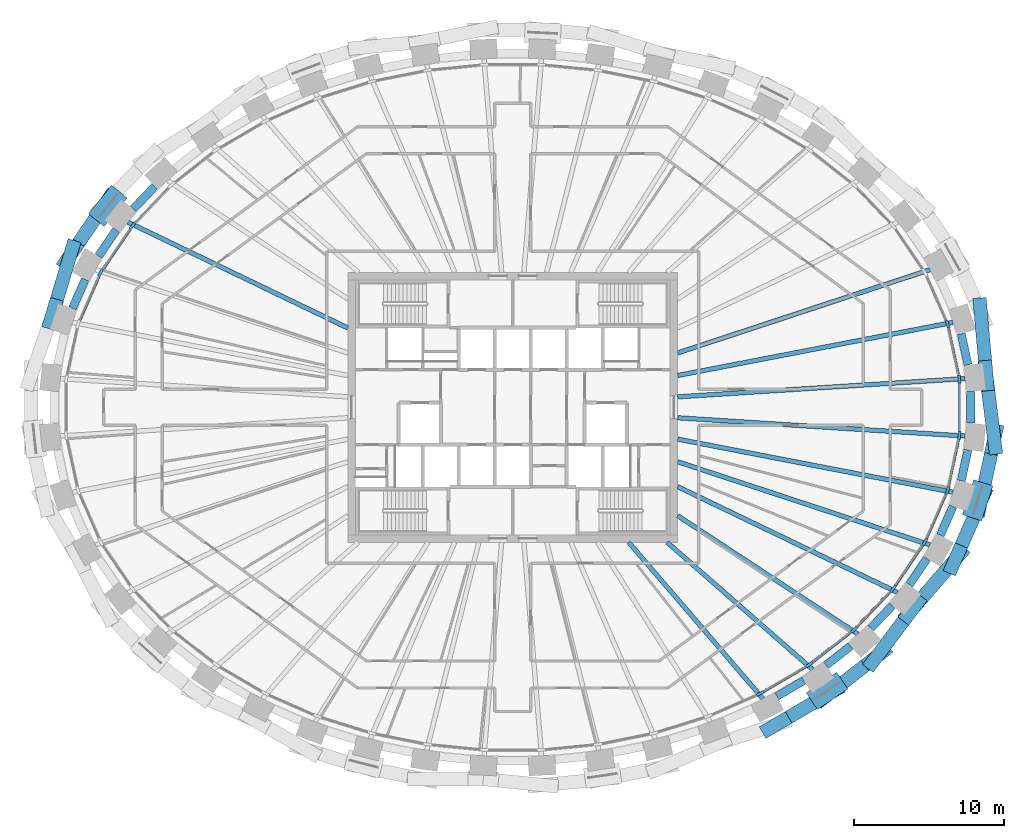
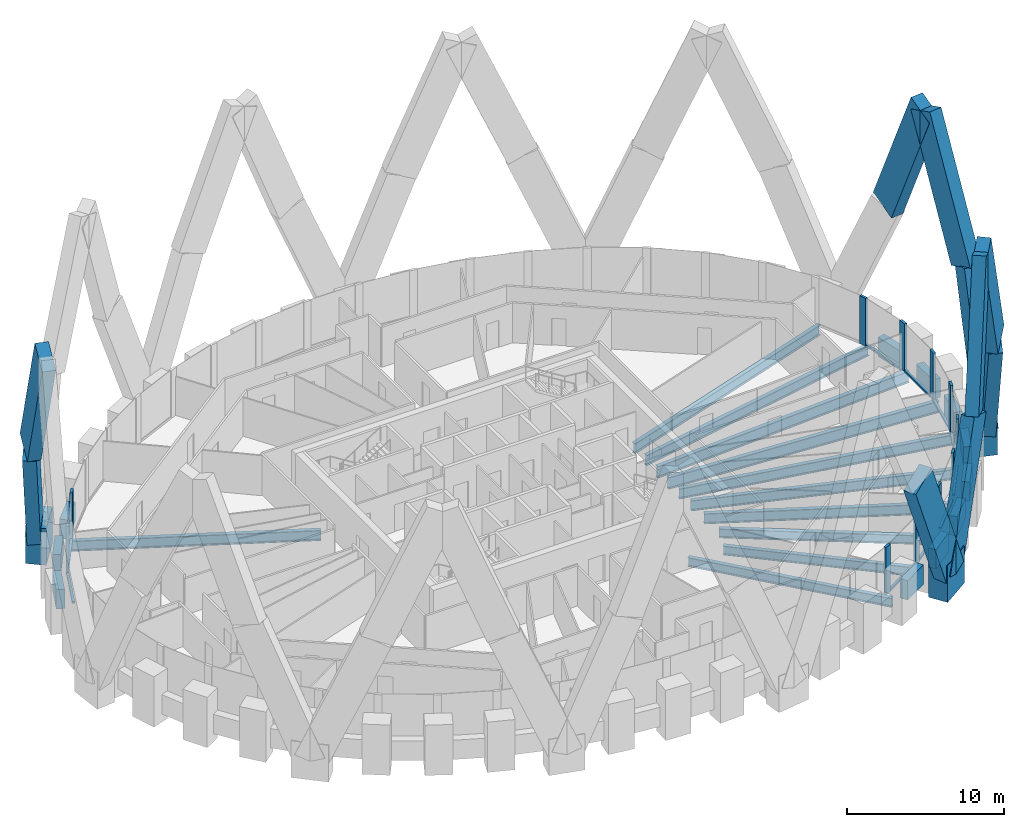
# One storey, part 3 of 14: 34 members, 22 beams, 1 element without a shape of its own.
"""IFC4 building model written with IfcOpenShell, lengths in metres."""

from ifc_helpers import new_model, si_unit, direction, frame, origin, origin_2d, place, context, subcontext, project, spatial, rectangle, i_section, extrude, source, transform, mapped, material, material_profile, profile_set, type_object, element, aggregate, save


model = new_model("IFC4")

# Units and contexts
model_context = context("Model", 3, precision=1e-05, world=origin(), true_north=direction((0.0, 1.0)))
body_context = subcontext(model_context, "Body", "Model", "MODEL_VIEW")
ifc_project = project(units=[si_unit("LENGTHUNIT", "METRE"), si_unit("AREAUNIT", "SQUARE_METRE"), si_unit("VOLUMEUNIT", "CUBIC_METRE"), si_unit("PLANEANGLEUNIT", "RADIAN"), si_unit("MASSUNIT", "GRAM", prefix="KILO")], contexts=[model_context])

# Site, building, storey
site_placement = place(None, origin())
site = spatial("IfcSite", under=ifc_project, at=site_placement, CompositionType="ELEMENT")
building_placement = place(site_placement, origin())
building = spatial("IfcBuilding", under=site, at=building_placement, Name="Embergate Tower", CompositionType="ELEMENT")
storey_placement = place(building_placement, frame((0.0, 0.0, 297.39990234375)))
storey = spatial("IfcBuildingStorey", under=building, at=storey_placement, Name="L69", CompositionType="ELEMENT", Elevation=297.39990234375)

# Beams
ifc_material_1 = material(Name="Steel Q355B", Category="steel")
ifc_material_profile_1 = material_profile(ifc_material_1, i_section(OverallWidth=0.300048828125, OverallDepth=0.699951171875, WebThickness=0.012939453125, FlangeThickness=0.02392578125, FilletRadius=0.01806640625, at=origin_2d()), Name="HN 700x300x13x24")
ifc_profile_set_1 = profile_set([ifc_material_profile_1], Name="Steel Q355 grade B")
beam_type_1 = type_object("IfcBeamType", Name="Radial girder HN 700x300x13x24", PredefinedType="BEAM", material=ifc_profile_set_1)
shared_shape_1 = source(origin(), body_context, "Body", "SweptSolid", [
    extrude(i_section(OverallWidth=0.300048828125, OverallDepth=0.699951171875, WebThickness=0.012939453125, FlangeThickness=0.02392578125, FilletRadius=0.01806640625, at=origin_2d()), origin(), (0.0, 0.0, 1.0), 13.742431640625),
])
beam_1_placement = place(storey_placement, frame((16.681884765625, -19.426025390625, -0.5498046875), z_axis=(-0.651474345674, 0.758670664339, 0.0), x_axis=(-0.758670664339, -0.651474345674, 0.0)))
element("IfcBeam", 1, at=beam_1_placement, inside=storey, type_object=beam_type_1, Name="GIR-L69-37", PredefinedType="BEAM", context=body_context, shape_type="MappedRepresentation", body=[
    mapped(shared_shape_1, transform((0.0, 0.0, 0.0))),
])
ifc_material_2 = material(Name="Concrete C50", Category="concrete")
ifc_material_profile_2 = material_profile(ifc_material_2, rectangle(XDim=0.550048828125, YDim=1.5, at=origin_2d()), Name="RC 550x1500")
ifc_profile_set_2 = profile_set([ifc_material_profile_2], Name="Concrete C50")
beam_type_2 = type_object("IfcBeamType", Name="Spandrel beam RC 550x1500 C50", PredefinedType="BEAM", material=ifc_profile_set_2)
shared_shape_2 = source(origin(), body_context, "Body", "SweptSolid", [
    extrude(rectangle(XDim=0.550048828125, YDim=1.5, at=origin_2d()), origin(), (0.0, 0.0, 1.0), 2.10107421875),
])
for number, where, z_axis, x_axis, name in (
    (2, (30.346923828125, 2.841064453125, 0.0), (-0.210330547493, 0.977630329312, 0.0), (-0.977630329312, -0.210330547493, 0.0), "SPN-L69-00"),
    (3, (29.905029296875, -4.89501953125, 0.0), (0.210330547493, 0.977630329312, 0.0), (-0.977630329312, 0.210330547493, 0.0), "SPN-L69-42"),
):
    element("IfcBeam", number, at=place(storey_placement, frame(where, z_axis=z_axis, x_axis=x_axis)), inside=storey, type_object=beam_type_2, Name=name, PredefinedType="BEAM", context=body_context, shape_type="MappedRepresentation", body=[
        mapped(shared_shape_2, transform((0.0, 0.0, 0.0))),
    ])
shared_shape_3 = source(origin(), body_context, "Body", "SweptSolid", [
    extrude(rectangle(XDim=0.550048828125, YDim=1.5, at=origin_2d()), origin(), (0.0, 0.0, 1.0), 2.097900390625),
])
for number, where, z_axis, x_axis, name in (
    (4, (-28.508056640625, 8.529052734375, 0.0), (-0.401825860592, -0.91571610107, 0.0), (0.91571610107, -0.401825860592, 0.0), "SPN-L69-19"),
    (5, (28.508056640625, -8.529052734375, 0.0), (0.401825860592, 0.91571610107, 0.0), (-0.91571610107, 0.401825860592, 0.0), "SPN-L69-41"),
):
    element("IfcBeam", number, at=place(storey_placement, frame(where, z_axis=z_axis, x_axis=x_axis)), inside=storey, type_object=beam_type_2, Name=name, PredefinedType="BEAM", context=body_context, shape_type="MappedRepresentation", body=[
        mapped(shared_shape_3, transform((0.0, 0.0, 0.0))),
    ])
shared_shape_4 = source(origin(), body_context, "Body", "SweptSolid", [
    extrude(rectangle(XDim=0.550048828125, YDim=1.5, at=origin_2d()), origin(), (0.0, 0.0, 1.0), 2.09033203125),
])
for number, where, z_axis, x_axis, name in (
    (6, (-26.444091796875, 11.822998046875, 0.0), (-0.562009695033, -0.827130644269, 0.0), (0.827130644269, -0.562009695033, 0.0), "SPN-L69-18"),
    (7, (26.444091796875, -11.822998046875, 0.0), (0.562009695033, 0.827130644269, 0.0), (-0.827130644269, 0.562009695033, 0.0), "SPN-L69-40"),
):
    element("IfcBeam", number, at=place(storey_placement, frame(where, z_axis=z_axis, x_axis=x_axis)), inside=storey, type_object=beam_type_2, Name=name, PredefinedType="BEAM", context=body_context, shape_type="MappedRepresentation", body=[
        mapped(shared_shape_4, transform((0.0, 0.0, 0.0))),
    ])
shared_shape_5 = source(origin(), body_context, "Body", "SweptSolid", [
    extrude(rectangle(XDim=0.550048828125, YDim=1.5, at=origin_2d()), origin(), (0.0, 0.0, 1.0), 2.08447265625),
])
for number, where, z_axis, x_axis, name in (
    (8, (-23.8740234375, 14.73095703125, 0.0), (-0.690339235394, -0.72348582576, 0.0), (0.72348582576, -0.690339235394, 0.0), "SPN-L69-17"),
    (9, (23.8740234375, -14.73095703125, 0.0), (0.690339235394, 0.72348582576, 0.0), (-0.72348582576, 0.690339235394, 0.0), "SPN-L69-39"),
):
    element("IfcBeam", number, at=place(storey_placement, frame(where, z_axis=z_axis, x_axis=x_axis)), inside=storey, type_object=beam_type_2, Name=name, PredefinedType="BEAM", context=body_context, shape_type="MappedRepresentation", body=[
        mapped(shared_shape_5, transform((0.0, 0.0, 0.0))),
    ])
shared_shape_6 = source(origin(), body_context, "Body", "SweptSolid", [
    extrude(rectangle(XDim=0.550048828125, YDim=1.5, at=origin_2d()), origin(), (0.0, 0.0, 1.0), 2.0791015625),
])
beam_2_placement = place(storey_placement, frame((20.887939453125, -17.2041015625, 0.0), z_axis=(0.788383845435, 0.615183641084, 0.0), x_axis=(-0.615183641084, 0.788383845435, 0.0)))
element("IfcBeam", 10, at=beam_2_placement, inside=storey, type_object=beam_type_2, Name="SPN-L69-38", PredefinedType="BEAM", context=body_context, shape_type="MappedRepresentation", body=[
    mapped(shared_shape_6, transform((0.0, 0.0, 0.0))),
])
shared_shape_7 = source(origin(), body_context, "Body", "SweptSolid", [
    extrude(rectangle(XDim=0.550048828125, YDim=1.5, at=origin_2d()), origin(), (0.0, 0.0, 1.0), 2.074462890625),
])
beam_3_placement = place(storey_placement, frame((17.611083984375, -19.26806640625, 0.0), z_axis=(0.861864620017, 0.507138419726, 0.0), x_axis=(-0.507138419726, 0.861864620017, 0.0)))
element("IfcBeam", 11, at=beam_3_placement, inside=storey, type_object=beam_type_2, Name="SPN-L69-37", PredefinedType="BEAM", context=body_context, shape_type="MappedRepresentation", body=[
    mapped(shared_shape_7, transform((0.0, 0.0, 0.0))),
])
shared_shape_8 = source(origin(), body_context, "Body", "SweptSolid", [
    extrude(rectangle(XDim=0.550048828125, YDim=1.5, at=origin_2d()), origin(), (0.0, 0.0, 1.0), 2.10205078125),
])
beam_4_placement = place(storey_placement, frame((30.5380859375, -1.051025390625, 0.0), z_axis=(0.0, 1.0, 0.0), x_axis=(-1.0, 0.0, 0.0)))
element("IfcBeam", 12, at=beam_4_placement, inside=storey, type_object=beam_type_2, Name="SPN-L69-43", PredefinedType="BEAM", context=body_context, shape_type="MappedRepresentation", body=[
    mapped(shared_shape_8, transform((0.0, 0.0, 0.0))),
])
ifc_material_profile_3 = material_profile(ifc_material_1, i_section(OverallWidth=0.300048828125, OverallDepth=0.89990234375, WebThickness=0.01611328125, FlangeThickness=0.028076171875, FilletRadius=0.028076171875, at=origin_2d()), Name="HN 900x300x16x28")
ifc_profile_set_3 = profile_set([ifc_material_profile_3], Name="Steel Q355 grade B")
beam_type_3 = type_object("IfcBeamType", Name="Radial girder HN 900x300x16x28", PredefinedType="BEAM", material=ifc_profile_set_3)
shared_shape_9 = source(origin(), body_context, "Body", "SweptSolid", [
    extrude(i_section(OverallWidth=0.300048828125, OverallDepth=0.89990234375, WebThickness=0.01611328125, FlangeThickness=0.028076171875, FilletRadius=0.028076171875, at=origin_2d()), origin(), (0.0, 0.0, 1.0), 19.20166015625),
])
for number, where, z_axis, x_axis, name in (
    (13, (30.1630859375, 1.916015625, -0.64990234375), (-0.997989342147, -0.063381960844, 0.0), (0.063381960844, -0.997989342147, 0.0), "GIR-L69-00"),
    (14, (30.1630859375, -1.916015625, -0.64990234375), (-0.997989342147, 0.063381960844, 0.0), (-0.063381960844, -0.997989342147, 0.0), "GIR-L69-43"),
):
    element("IfcBeam", number, at=place(storey_placement, frame(where, z_axis=z_axis, x_axis=x_axis)), inside=storey, type_object=beam_type_3, Name=name, PredefinedType="BEAM", context=body_context, shape_type="MappedRepresentation", body=[
        mapped(shared_shape_9, transform((0.0, 0.0, 0.0))),
    ])
ifc_material_profile_4 = material_profile(ifc_material_1, i_section(OverallWidth=0.300048828125, OverallDepth=0.800048828125, WebThickness=0.013916015625, FlangeThickness=0.02587890625, FilletRadius=0.028076171875, at=origin_2d()), Name="HN 800x300x14x26")
ifc_profile_set_4 = profile_set([ifc_material_profile_4], Name="Steel Q355 grade B")
beam_type_4 = type_object("IfcBeamType", Name="Radial girder HN 800x300x14x26", PredefinedType="BEAM", material=ifc_profile_set_4)
shared_shape_10 = source(origin(), body_context, "Body", "SweptSolid", [
    extrude(i_section(OverallWidth=0.300048828125, OverallDepth=0.800048828125, WebThickness=0.013916015625, FlangeThickness=0.02587890625, FilletRadius=0.028076171875, at=origin_2d()), origin(), (0.0, 0.0, 1.0), 18.6943359375),
])
for number, where, z_axis, x_axis, name in (
    (15, (29.35595703125, 5.6630859375, -0.599853515625), (-0.981896924723, -0.189416021549, 0.0), (0.189416021549, -0.981896924723, 0.0), "GIR-L69-01"),
    (16, (29.35595703125, -5.6630859375, -0.599853515625), (-0.981896924723, 0.189416021549, 0.0), (-0.189416021549, -0.981896924723, 0.0), "GIR-L69-42"),
):
    element("IfcBeam", number, at=place(storey_placement, frame(where, z_axis=z_axis, x_axis=x_axis)), inside=storey, type_object=beam_type_4, Name=name, PredefinedType="BEAM", context=body_context, shape_type="MappedRepresentation", body=[
        mapped(shared_shape_10, transform((0.0, 0.0, 0.0))),
    ])
shared_shape_11 = source(origin(), body_context, "Body", "SweptSolid", [
    extrude(i_section(OverallWidth=0.300048828125, OverallDepth=0.800048828125, WebThickness=0.013916015625, FlangeThickness=0.02587890625, FilletRadius=0.028076171875, at=origin_2d()), origin(), (0.0, 0.0, 1.0), 17.70703125),
])
for number, where, z_axis, x_axis, name in (
    (17, (27.81591796875, 9.174072265625, -0.599853515625), (-0.949680910183, -0.313219042897, 0.0), (0.313219042897, -0.949680910183, 0.0), "GIR-L69-02"),
    (18, (27.81591796875, -9.174072265625, -0.599853515625), (-0.949680910183, 0.313219042897, 0.0), (-0.313219042897, -0.949680910183, 0.0), "GIR-L69-41"),
):
    element("IfcBeam", number, at=place(storey_placement, frame(where, z_axis=z_axis, x_axis=x_axis)), inside=storey, type_object=beam_type_4, Name=name, PredefinedType="BEAM", context=body_context, shape_type="MappedRepresentation", body=[
        mapped(shared_shape_11, transform((0.0, 0.0, 0.0))),
    ])
shared_shape_12 = source(origin(), body_context, "Body", "SweptSolid", [
    extrude(i_section(OverallWidth=0.300048828125, OverallDepth=0.800048828125, WebThickness=0.013916015625, FlangeThickness=0.02587890625, FilletRadius=0.028076171875, at=origin_2d()), origin(), (0.0, 0.0, 1.0), 16.268310546875),
])
for number, where, z_axis, x_axis, name in (
    (19, (-25.659912109375, 12.344970703125, -0.599853515625), (0.901133717561, -0.433541258791, 0.0), (0.433541258791, 0.901133717561, 0.0), "GIR-L69-18"),
    (20, (25.659912109375, -12.344970703125, -0.599853515625), (-0.901133717561, 0.433541258791, 0.0), (-0.433541258791, -0.901133717561, 0.0), "GIR-L69-40"),
):
    element("IfcBeam", number, at=place(storey_placement, frame(where, z_axis=z_axis, x_axis=x_axis)), inside=storey, type_object=beam_type_4, Name=name, PredefinedType="BEAM", context=body_context, shape_type="MappedRepresentation", body=[
        mapped(shared_shape_12, transform((0.0, 0.0, 0.0))),
    ])
shared_shape_13 = source(origin(), body_context, "Body", "SweptSolid", [
    extrude(i_section(OverallWidth=0.300048828125, OverallDepth=0.699951171875, WebThickness=0.012939453125, FlangeThickness=0.02392578125, FilletRadius=0.01806640625, at=origin_2d()), origin(), (0.0, 0.0, 1.0), 14.3740234375),
])
beam_5_placement = place(storey_placement, frame((23.012939453125, -15.1201171875, -0.5498046875), z_axis=(-0.835742226811, 0.549121963069, 0.0), x_axis=(-0.549121963069, -0.835742226811, 0.0)))
element("IfcBeam", 21, at=beam_5_placement, inside=storey, type_object=beam_type_1, Name="GIR-L69-39", PredefinedType="BEAM", context=body_context, shape_type="MappedRepresentation", body=[
    mapped(shared_shape_13, transform((0.0, 0.0, 0.0))),
])
shared_shape_14 = source(origin(), body_context, "Body", "SweptSolid", [
    extrude(i_section(OverallWidth=0.300048828125, OverallDepth=0.699951171875, WebThickness=0.012939453125, FlangeThickness=0.02392578125, FilletRadius=0.01806640625, at=origin_2d()), origin(), (0.0, 0.0, 1.0), 12.88330078125),
])
beam_6_placement = place(storey_placement, frame((19.989013671875, -17.48095703125, -0.5498046875), z_axis=(-0.752760969036, 0.658293949157, 0.0), x_axis=(-0.658293949157, -0.752760969036, 0.0)))
element("IfcBeam", 22, at=beam_6_placement, inside=storey, type_object=beam_type_1, Name="GIR-L69-38", PredefinedType="BEAM", context=body_context, shape_type="MappedRepresentation", body=[
    mapped(shared_shape_14, transform((0.0, 0.0, 0.0))),
])

# Members
ifc_material_3 = material(Name="Concrete C70", Category="concrete")
ifc_material_profile_5 = material_profile(ifc_material_3, rectangle(XDim=1.35009765625, YDim=2.449951171875, at=origin_2d()), Name="RC 1350x2450")
ifc_profile_set_5 = profile_set([ifc_material_profile_5], Name="Concrete C70")
member_type_1 = type_object("IfcMemberType", Name="Lattice node block RC 1350x2450", PredefinedType="POST", material=ifc_profile_set_5)
shared_shape_15 = source(origin(), body_context, "Body", "SweptSolid", [
    extrude(rectangle(XDim=1.35009765625, YDim=2.449951171875, at=origin_2d()), origin(), (0.0, 0.0, 1.0), 2.849853515625),
])
for number, where, z_axis, x_axis, name in (
    (23, (-26.9990234375, 13.43310546875, -1.4248046875), (0.0, 0.0, 1.0), (-0.775925311702, 0.630824786022, 0.0), "NOD-L69-18"),
    (24, (20.9560546875, -18.908935546875, -1.4248046875), (0.0, 0.0, 1.0), (0.560393279442, -0.828226643109, 0.0), "NOD-L69-38"),
    (25, (30.99609375, -6.197021484375, -1.4248046875), (0.0, 0.0, 1.0), (0.950754033697, -0.309946394413, 0.0), "NOD-L69-42"),
):
    element("IfcMember", number, at=place(storey_placement, frame(where, z_axis=z_axis, x_axis=x_axis)), inside=storey, type_object=member_type_1, Name=name, PredefinedType="POST", context=body_context, shape_type="MappedRepresentation", body=[
        mapped(shared_shape_15, transform((0.0, 0.0, 0.0))),
    ])
ifc_material_profile_6 = material_profile(ifc_material_3, rectangle(XDim=0.89990234375, YDim=2.199951171875, at=origin_2d()), Name="RC 900x2200")
ifc_profile_set_6 = profile_set([ifc_material_profile_6], Name="Concrete C70")
member_type_2 = type_object("IfcMemberType", Name="Lattice diagonal terracotta-faced RC 900x2200", PredefinedType="BRACE", material=ifc_profile_set_6)
shared_shape_16 = source(origin(), body_context, "Body", "SweptSolid", [
    extrude(rectangle(XDim=0.89990234375, YDim=2.199951171875, at=origin_2d()), origin(), (0.0, 0.0, 1.0), 10.60888671875),
])
member_1_placement = place(storey_placement, frame((31.2060546875, 6.278076171875, 9.75), z_axis=(0.034956645122, -0.392600635801, 0.919044489527), x_axis=(0.996059470747, 0.088687827436, 0.0)))
element("IfcMember", 26, at=member_1_placement, inside=storey, type_object=member_type_2, Name="BRC-L69-02-00-S01", PredefinedType="BRACE", context=body_context, shape_type="MappedRepresentation", body=[
    mapped(shared_shape_16, transform((0.0, 0.0, 0.0))),
])
shared_shape_17 = source(origin(), body_context, "Body", "SweptSolid", [
    extrude(rectangle(XDim=0.89990234375, YDim=2.199951171875, at=origin_2d()), origin(), (0.0, 0.0, 1.0), 10.59716796875),
])
member_2_placement = place(storey_placement, frame((-27.173095703125, 13.574951171875, 0.0), z_axis=(-0.220244816542, -0.324031730614, 0.92005198676), x_axis=(0.827041321206, -0.562141132651, 0.0)))
element("IfcMember", 27, at=member_2_placement, inside=storey, type_object=member_type_2, Name="BRC-L69-18-20-S00", PredefinedType="BRACE", context=body_context, shape_type="MappedRepresentation", body=[
    mapped(shared_shape_17, transform((0.0, 0.0, 0.0))),
])
shared_shape_18 = source(origin(), body_context, "Body", "SweptSolid", [
    extrude(rectangle(XDim=0.89990234375, YDim=2.199951171875, at=origin_2d()), origin(), (0.0, 0.0, 1.0), 10.571533203125),
])
member_3_placement = place(storey_placement, frame((-29.507080078125, 10.14111328125, 9.75), z_axis=(-0.111130269815, -0.370157099874, 0.92229809961), x_axis=(0.957767057239, -0.287545238298, 0.0)))
element("IfcMember", 28, at=member_3_placement, inside=storey, type_object=member_type_2, Name="BRC-L69-18-20-S01", PredefinedType="BRACE", context=body_context, shape_type="MappedRepresentation", body=[
    mapped(shared_shape_18, transform((0.0, 0.0, 0.0))),
])
shared_shape_19 = source(origin(), body_context, "Body", "SweptSolid", [
    extrude(rectangle(XDim=0.89990234375, YDim=2.199951171875, at=origin_2d()), origin(), (0.0, 0.0, 1.0), 10.587158203125),
])
member_4_placement = place(storey_placement, frame((21.08203125, -19.095947265625, 0.0), z_axis=(-0.33626236197, -0.197025484891, 0.920928109152), x_axis=(0.505540306091, -0.862802989632, 0.0)))
element("IfcMember", 29, at=member_4_placement, inside=storey, type_object=member_type_2, Name="BRC-L69-38-36-S00", PredefinedType="BRACE", context=body_context, shape_type="MappedRepresentation", body=[
    mapped(shared_shape_19, transform((0.0, 0.0, 0.0))),
])
shared_shape_20 = source(origin(), body_context, "Body", "SweptSolid", [
    extrude(rectangle(XDim=0.89990234375, YDim=2.199951171875, at=origin_2d()), origin(), (0.0, 0.0, 1.0), 10.562744140625),
])
member_5_placement = place(storey_placement, frame((21.08203125, -19.095947265625, 0.0), z_axis=(0.30313456365, 0.2367754838, 0.923063815016), x_axis=(-0.615565910513, 0.78808540769, 0.0)))
element("IfcMember", 30, at=member_5_placement, inside=storey, type_object=member_type_2, Name="BRC-L69-38-40-S00", PredefinedType="BRACE", context=body_context, shape_type="MappedRepresentation", body=[
    mapped(shared_shape_20, transform((0.0, 0.0, 0.0))),
])
shared_shape_21 = source(origin(), body_context, "Body", "SweptSolid", [
    extrude(rectangle(XDim=0.89990234375, YDim=2.199951171875, at=origin_2d()), origin(), (0.0, 0.0, 1.0), 10.517578125),
])
member_6_placement = place(storey_placement, frame((24.283935546875, -16.594970703125, 9.75), z_axis=(0.225624252863, 0.29957886908, 0.927009275963), x_axis=(-0.7987951853, 0.601603068427, 0.0)))
element("IfcMember", 31, at=member_6_placement, inside=storey, type_object=member_type_2, Name="BRC-L69-38-40-S01", PredefinedType="BRACE", context=body_context, shape_type="MappedRepresentation", body=[
    mapped(shared_shape_21, transform((0.0, 0.0, 0.0))),
])
shared_shape_22 = source(origin(), body_context, "Body", "SweptSolid", [
    extrude(rectangle(XDim=0.89990234375, YDim=2.199951171875, at=origin_2d()), origin(), (0.0, 0.0, 1.0), 10.629638671875),
])
member_7_placement = place(storey_placement, frame((31.2099609375, -6.26708984375, 0.0), z_axis=(0.083832881236, 0.389397991361, 0.917246560281), x_axis=(-0.977601132477, 0.210466210543, 0.0)))
element("IfcMember", 32, at=member_7_placement, inside=storey, type_object=member_type_2, Name="BRC-L69-42-00-S00", PredefinedType="BRACE", context=body_context, shape_type="MappedRepresentation", body=[
    mapped(shared_shape_22, transform((0.0, 0.0, 0.0))),
])
shared_shape_23 = source(origin(), body_context, "Body", "SweptSolid", [
    extrude(rectangle(XDim=0.89990234375, YDim=2.199951171875, at=origin_2d()), origin(), (0.0, 0.0, 1.0), 10.645263671875),
])
member_8_placement = place(storey_placement, frame((32.10107421875, -2.1279296875, 9.75), z_axis=(-0.049239423832, 0.398387532083, 0.915894564577), x_axis=(-0.992448326774, -0.122663436623, 0.0)))
element("IfcMember", 33, at=member_8_placement, inside=storey, type_object=member_type_2, Name="BRC-L69-42-00-S01", PredefinedType="BRACE", context=body_context, shape_type="MappedRepresentation", body=[
    mapped(shared_shape_23, transform((0.0, 0.0, 0.0))),
])
shared_shape_24 = source(origin(), body_context, "Body", "SweptSolid", [
    extrude(rectangle(XDim=0.89990234375, YDim=2.199951171875, at=origin_2d()), origin(), (0.0, 0.0, 1.0), 10.628662109375),
])
member_9_placement = place(storey_placement, frame((31.2099609375, -6.26708984375, 0.0), z_axis=(-0.16021456909, -0.364485273451, 0.917323158592), x_axis=(0.915462140927, -0.402404110976, 0.0)))
element("IfcMember", 34, at=member_9_placement, inside=storey, type_object=member_type_2, Name="BRC-L69-42-40-S00", PredefinedType="BRACE", context=body_context, shape_type="MappedRepresentation", body=[
    mapped(shared_shape_24, transform((0.0, 0.0, 0.0))),
])
shared_shape_25 = source(origin(), body_context, "Body", "SweptSolid", [
    extrude(rectangle(XDim=0.89990234375, YDim=2.199951171875, at=origin_2d()), origin(), (0.0, 0.0, 1.0), 10.681640625),
])
member_10_placement = place(storey_placement, frame((29.507080078125, -10.14111328125, 9.75), z_axis=(-0.266824687133, -0.309223161918, 0.912790021018), x_axis=(0.757103540397, -0.653294902106, 0.0)))
element("IfcMember", 35, at=member_10_placement, inside=storey, type_object=member_type_2, Name="BRC-L69-42-40-S01", PredefinedType="BRACE", context=body_context, shape_type="MappedRepresentation", body=[
    mapped(shared_shape_25, transform((0.0, 0.0, 0.0))),
])

# Curtain wall, members
ifc_material_4 = material(Name="Aluminium and glass", Category="aluminium")
curtain_wall_type = type_object("IfcCurtainWallType", Name="Recessed office glazing", PredefinedType="NOTDEFINED", material=ifc_material_4)
curtain_wall_placement = place(storey_placement, origin())
curtain_wall = element("IfcCurtainWall", 36, at=curtain_wall_placement, inside=storey, type_object=curtain_wall_type, Name="Recessed office glazing ring", ObjectType="RECESSED OFFICE GLAZING", PredefinedType="USERDEFINED")
ifc_material_5 = material(Name="Aluminium, thermally broken", Category="aluminium")
ifc_material_profile_7 = material_profile(ifc_material_5, rectangle(XDim=0.179931640625, YDim=0.52001953125, at=origin_2d()), Name="AL 520x180")
ifc_profile_set_7 = profile_set([ifc_material_profile_7], Name="Aluminium, thermally broken")
member_type_3 = type_object("IfcMemberType", Name="Office mullion", PredefinedType="MULLION", material=ifc_profile_set_7)
shared_shape_26 = source(origin(), body_context, "Body", "SweptSolid", [
    extrude(rectangle(XDim=0.179931640625, YDim=0.52001953125, at=origin_2d()), origin(), (0.0, 0.0, 1.0), 3.7001953125),
])
member_11_placement = place(storey_placement, frame((29.774658203125, 1.87451171875, 0.0), z_axis=(0.0, 0.0, 1.0), x_axis=(-0.994384215926, -0.105830199459, 0.0)))
member_11 = element("IfcMember", 37, at=member_11_placement, type_object=member_type_3, Name="CW mullion 1", PredefinedType="MULLION", context=body_context, shape_type="MappedRepresentation", body=[
    mapped(shared_shape_26, transform((0.0, 0.0, 0.0))),
])
member_12_placement = place(storey_placement, frame((28.985107421875, 5.5419921875, 0.0), z_axis=(0.0, 0.0, 1.0), x_axis=(-0.951493502218, -0.307668840212, 0.0)))
member_12 = element("IfcMember", 38, at=member_12_placement, type_object=member_type_3, Name="CW mullion 2", PredefinedType="MULLION", context=body_context, shape_type="MappedRepresentation", body=[
    mapped(shared_shape_26, transform((0.0, 0.0, 0.0))),
])
member_13_placement = place(storey_placement, frame((-25.357421875, 12.098388671875, 0.0), z_axis=(0.0, 0.0, 1.0), x_axis=(0.777863789852, -0.628432911643, 0.0)))
member_13 = element("IfcMember", 39, at=member_13_placement, type_object=member_type_3, Name="CW mullion 19", PredefinedType="MULLION", context=body_context, shape_type="MappedRepresentation", body=[
    mapped(shared_shape_26, transform((0.0, 0.0, 0.0))),
])
member_14_placement = place(storey_placement, frame((-27.4755859375, 8.983642578125, 0.0), z_axis=(0.0, 0.0, 1.0), x_axis=(0.87499344622, -0.484134763338, 0.0)))
member_14 = element("IfcMember", 40, at=member_14_placement, type_object=member_type_3, Name="CW mullion 20", PredefinedType="MULLION", context=body_context, shape_type="MappedRepresentation", body=[
    mapped(shared_shape_26, transform((0.0, 0.0, 0.0))),
])
member_15_placement = place(storey_placement, frame((16.504638671875, -19.077880859375, 0.0), z_axis=(0.0, 0.0, 1.0), x_axis=(-0.454508271251, 0.890742516872, 0.0)))
member_15 = element("IfcMember", 41, at=member_15_placement, type_object=member_type_3, Name="CW mullion 38", PredefinedType="MULLION", context=body_context, shape_type="MappedRepresentation", body=[
    mapped(shared_shape_26, transform((0.0, 0.0, 0.0))),
])
member_16_placement = place(storey_placement, frame((19.770263671875, -17.15771484375, 0.0), z_axis=(0.0, 0.0, 1.0), x_axis=(-0.562211845055, 0.826993253467, 0.0)))
member_16 = element("IfcMember", 42, at=member_16_placement, type_object=member_type_3, Name="CW mullion 39", PredefinedType="MULLION", context=body_context, shape_type="MappedRepresentation", body=[
    mapped(shared_shape_26, transform((0.0, 0.0, 0.0))),
])
member_17_placement = place(storey_placement, frame((22.752197265625, -14.83056640625, 0.0), z_axis=(0.0, 0.0, 1.0), x_axis=(-0.671220065284, 0.741258135847, 0.0)))
member_17 = element("IfcMember", 43, at=member_17_placement, type_object=member_type_3, Name="CW mullion 40", PredefinedType="MULLION", context=body_context, shape_type="MappedRepresentation", body=[
    mapped(shared_shape_26, transform((0.0, 0.0, 0.0))),
])
member_18_placement = place(storey_placement, frame((25.357421875, -12.098388671875, 0.0), z_axis=(0.0, 0.0, 1.0), x_axis=(-0.777863789852, 0.628432911643, 0.0)))
member_18 = element("IfcMember", 44, at=member_18_placement, type_object=member_type_3, Name="CW mullion 41", PredefinedType="MULLION", context=body_context, shape_type="MappedRepresentation", body=[
    mapped(shared_shape_26, transform((0.0, 0.0, 0.0))),
])
member_19_placement = place(storey_placement, frame((27.4755859375, -8.983642578125, 0.0), z_axis=(0.0, 0.0, 1.0), x_axis=(-0.87499344622, 0.484134763338, 0.0)))
member_19 = element("IfcMember", 45, at=member_19_placement, type_object=member_type_3, Name="CW mullion 42", PredefinedType="MULLION", context=body_context, shape_type="MappedRepresentation", body=[
    mapped(shared_shape_26, transform((0.0, 0.0, 0.0))),
])
member_20_placement = place(storey_placement, frame((28.985107421875, -5.5419921875, 0.0), z_axis=(0.0, 0.0, 1.0), x_axis=(-0.951493502218, 0.307668840212, 0.0)))
member_20 = element("IfcMember", 46, at=member_20_placement, type_object=member_type_3, Name="CW mullion 43", PredefinedType="MULLION", context=body_context, shape_type="MappedRepresentation", body=[
    mapped(shared_shape_26, transform((0.0, 0.0, 0.0))),
])
member_21_placement = place(storey_placement, frame((29.774658203125, -1.87451171875, 0.0), z_axis=(0.0, 0.0, 1.0), x_axis=(-0.994384215926, 0.105830199459, 0.0)))
member_21 = element("IfcMember", 47, at=member_21_placement, type_object=member_type_3, Name="CW mullion 44", PredefinedType="MULLION", context=body_context, shape_type="MappedRepresentation", body=[
    mapped(shared_shape_26, transform((0.0, 0.0, 0.0))),
])
ifc_material_profile_8 = material_profile(ifc_material_5, rectangle(XDim=0.179931640625, YDim=0.14990234375, at=origin_2d()), Name="AL 150x180")
ifc_profile_set_8 = profile_set([ifc_material_profile_8], Name="Aluminium, thermally broken")
member_type_4 = type_object("IfcMemberType", Name="Office sill transom", PredefinedType="USERDEFINED", material=ifc_profile_set_8)
shared_shape_27 = source(origin(), body_context, "Body", "SweptSolid", [
    extrude(rectangle(XDim=0.179931640625, YDim=0.14990234375, at=origin_2d()), origin(), (0.0, 0.0, 1.0), 3.2314453125),
])
member_22_placement = place(storey_placement, frame((29.7197265625, 2.128662109375, 0.0751953125), z_axis=(-0.210406118874, 0.977614067585, 0.0), x_axis=(-0.977614067585, -0.210406118874, 0.0)))
member_22 = element("IfcMember", 48, at=member_22_placement, type_object=member_type_4, Name="CW transom 1.1", ObjectType="TRANSOM", PredefinedType="USERDEFINED", context=body_context, shape_type="MappedRepresentation", body=[
    mapped(shared_shape_27, transform((0.0, 0.0, 0.0))),
])
member_23_placement = place(storey_placement, frame((29.039794921875, -5.287841796875, 0.0751953125), z_axis=(0.210406118874, 0.977614067585, 0.0), x_axis=(-0.977614067585, 0.210406118874, 0.0)))
member_23 = element("IfcMember", 49, at=member_23_placement, type_object=member_type_4, Name="CW transom 43.1", ObjectType="TRANSOM", PredefinedType="USERDEFINED", context=body_context, shape_type="MappedRepresentation", body=[
    mapped(shared_shape_27, transform((0.0, 0.0, 0.0))),
])
shared_shape_28 = source(origin(), body_context, "Body", "SweptSolid", [
    extrude(rectangle(XDim=0.179931640625, YDim=0.14990234375, at=origin_2d()), origin(), (0.0, 0.0, 1.0), 3.23828125),
])
member_24_placement = place(storey_placement, frame((-27.580078125, 8.74560546875, 0.0751953125), z_axis=(-0.401684789579, -0.915777991557, 0.0), x_axis=(0.915777991557, -0.401684789579, 0.0)))
member_24 = element("IfcMember", 50, at=member_24_placement, type_object=member_type_4, Name="CW transom 20.1", ObjectType="TRANSOM", PredefinedType="USERDEFINED", context=body_context, shape_type="MappedRepresentation", body=[
    mapped(shared_shape_28, transform((0.0, 0.0, 0.0))),
])
member_25_placement = place(storey_placement, frame((27.580078125, -8.74560546875, 0.0751953125), z_axis=(0.401684789579, 0.915777991557, 0.0), x_axis=(-0.915777991557, 0.401684789579, 0.0)))
member_25 = element("IfcMember", 51, at=member_25_placement, type_object=member_type_4, Name="CW transom 42.1", ObjectType="TRANSOM", PredefinedType="USERDEFINED", context=body_context, shape_type="MappedRepresentation", body=[
    mapped(shared_shape_28, transform((0.0, 0.0, 0.0))),
])
shared_shape_29 = source(origin(), body_context, "Body", "SweptSolid", [
    extrude(rectangle(XDim=0.179931640625, YDim=0.14990234375, at=origin_2d()), origin(), (0.0, 0.0, 1.0), 3.246826171875),
])
member_26_placement = place(storey_placement, frame((-25.503662109375, 11.883544921875, 0.0751953125), z_axis=(-0.562363493995, -0.826890138182, 0.0), x_axis=(0.826890138182, -0.562363493995, 0.0)))
member_26 = element("IfcMember", 52, at=member_26_placement, type_object=member_type_4, Name="CW transom 19.1", ObjectType="TRANSOM", PredefinedType="USERDEFINED", context=body_context, shape_type="MappedRepresentation", body=[
    mapped(shared_shape_29, transform((0.0, 0.0, 0.0))),
])
member_27_placement = place(storey_placement, frame((25.503662109375, -11.883544921875, 0.0751953125), z_axis=(0.562363493995, 0.826890138182, 0.0), x_axis=(-0.826890138182, 0.562363493995, 0.0)))
member_27 = element("IfcMember", 53, at=member_27_placement, type_object=member_type_4, Name="CW transom 41.1", ObjectType="TRANSOM", PredefinedType="USERDEFINED", context=body_context, shape_type="MappedRepresentation", body=[
    mapped(shared_shape_29, transform((0.0, 0.0, 0.0))),
])
shared_shape_30 = source(origin(), body_context, "Body", "SweptSolid", [
    extrude(rectangle(XDim=0.179931640625, YDim=0.14990234375, at=origin_2d()), origin(), (0.0, 0.0, 1.0), 3.255126953125),
])
member_28_placement = place(storey_placement, frame((22.931640625, -14.642333984375, 0.0751953125), z_axis=(0.690106396673, 0.723707925389, 0.0), x_axis=(-0.723707925389, 0.690106396673, 0.0)))
member_28 = element("IfcMember", 54, at=member_28_placement, type_object=member_type_4, Name="CW transom 40.1", ObjectType="TRANSOM", PredefinedType="USERDEFINED", context=body_context, shape_type="MappedRepresentation", body=[
    mapped(shared_shape_30, transform((0.0, 0.0, 0.0))),
])
shared_shape_31 = source(origin(), body_context, "Body", "SweptSolid", [
    extrude(rectangle(XDim=0.179931640625, YDim=0.14990234375, at=origin_2d()), origin(), (0.0, 0.0, 1.0), 3.262451171875),
])
member_29_placement = place(storey_placement, frame((19.975341796875, -16.997802734375, 0.0751953125), z_axis=(0.788303389344, 0.615286735066, 0.0), x_axis=(-0.615286735066, 0.788303389344, 0.0)))
member_29 = element("IfcMember", 55, at=member_29_placement, type_object=member_type_4, Name="CW transom 39.1", ObjectType="TRANSOM", PredefinedType="USERDEFINED", context=body_context, shape_type="MappedRepresentation", body=[
    mapped(shared_shape_31, transform((0.0, 0.0, 0.0))),
])
shared_shape_32 = source(origin(), body_context, "Body", "SweptSolid", [
    extrude(rectangle(XDim=0.179931640625, YDim=0.14990234375, at=origin_2d()), origin(), (0.0, 0.0, 1.0), 3.268310546875),
])
member_30_placement = place(storey_placement, frame((16.728759765625, -18.946044921875, 0.0751953125), z_axis=(0.862039813646, 0.506840566342, 0.0), x_axis=(-0.506840566342, 0.862039813646, 0.0)))
member_30 = element("IfcMember", 56, at=member_30_placement, type_object=member_type_4, Name="CW transom 38.1", ObjectType="TRANSOM", PredefinedType="USERDEFINED", context=body_context, shape_type="MappedRepresentation", body=[
    mapped(shared_shape_32, transform((0.0, 0.0, 0.0))),
])
shared_shape_33 = source(origin(), body_context, "Body", "SweptSolid", [
    extrude(rectangle(XDim=0.179931640625, YDim=0.14990234375, at=origin_2d()), origin(), (0.0, 0.0, 1.0), 3.22900390625),
])
member_31_placement = place(storey_placement, frame((29.774658203125, -1.614501953125, 0.0751953125), z_axis=(0.0, 1.0, 0.0), x_axis=(-1.0, 0.0, 0.0)))
member_31 = element("IfcMember", 57, at=member_31_placement, type_object=member_type_4, Name="CW transom 44.1", ObjectType="TRANSOM", PredefinedType="USERDEFINED", context=body_context, shape_type="MappedRepresentation", body=[
    mapped(shared_shape_33, transform((0.0, 0.0, 0.0))),
])
aggregate(curtain_wall, [member_11, member_12, member_13, member_14, member_15, member_16, member_17, member_18, member_19, member_20, member_21, member_22, member_26, member_24, member_30, member_29, member_28, member_27, member_25, member_23, member_31])

save(model, "model.ifc")
